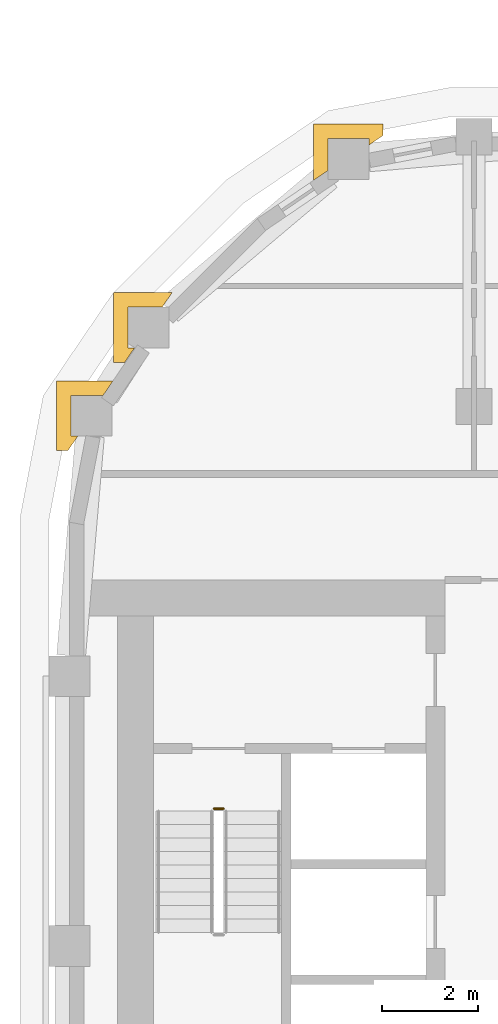
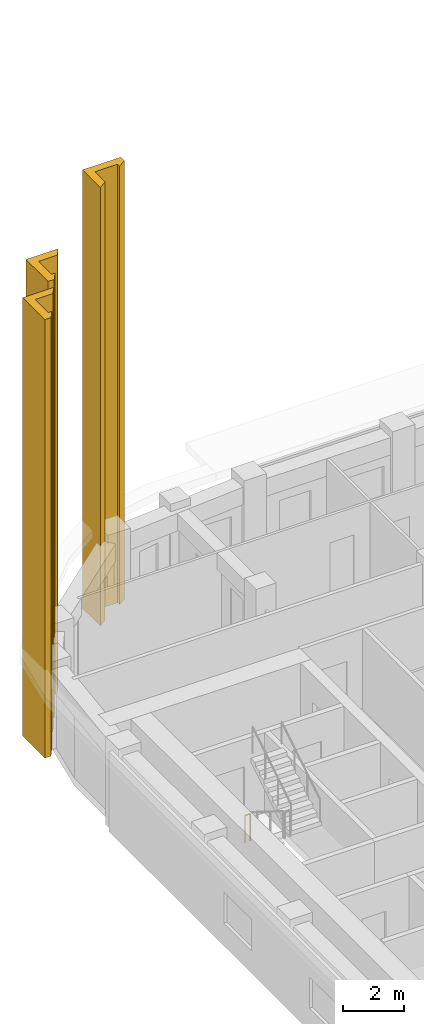
# One storey, part 19 of 21: 3 coverings, 1 railing.
"""IFC4 building model written with IfcOpenShell, lengths in metres."""

from ifc_helpers import new_model, si_unit, direction, frame, origin, origin_2d, place, context, subcontext, project, spatial, polyline, circle, outline, extrude, material, layer, layer_set, type_object, element, save


model = new_model("IFC4")

# Units and contexts
model_context = context("Model", 3, precision=1e-05, world=origin(), true_north=direction((0.0, 1.0)))
body_context = subcontext(model_context, "Body", "Model", "MODEL_VIEW")
ifc_project = project(units=[si_unit("LENGTHUNIT", "METRE"), si_unit("AREAUNIT", "SQUARE_METRE"), si_unit("VOLUMEUNIT", "CUBIC_METRE"), si_unit("PLANEANGLEUNIT", "RADIAN"), si_unit("MASSUNIT", "GRAM", prefix="KILO")], contexts=[model_context])

# Site, building, storey
site_placement = place(None, origin())
site = spatial("IfcSite", under=ifc_project, at=site_placement, CompositionType="ELEMENT")
building_placement = place(site_placement, origin())
building = spatial("IfcBuilding", under=site, at=building_placement, Name="Kiln Ring Residences", CompositionType="ELEMENT")
storey_placement = place(building_placement, frame((0.0, 0.0, 213.39990234375)))
storey = spatial("IfcBuildingStorey", under=building, at=storey_placement, Name="L55", CompositionType="ELEMENT", Elevation=213.39990234375)

# Railing
ifc_material_1 = material(Name="Stainless steel", Category="steel")
railing_type = type_object("IfcRailingType", Name="CORE-STAIR-GUARD", PredefinedType="GUARDRAIL", material=ifc_material_1)
railing_placement = place(storey_placement, frame((-22.199951171875, 8.449951171875, 0.0)))
element("IfcRailing", 1, at=railing_placement, inside=storey, type_object=railing_type, Name="L55 W-STN stair guard 4", PredefinedType="GUARDRAIL", context=body_context, shape_type="SweptSolid", body=[
    extrude(circle(Radius=0.02392578125, at=origin_2d()), frame((0.0, 0.0, 1.076171875), z_axis=(1.0, 0.0, 0.0), x_axis=(0.0, 1.0, 0.0)), (0.0, 0.0, 1.0), 0.199951171875),
    extrude(circle(Radius=0.02099609375, at=origin_2d()), origin(), (0.0, 0.0, 1.0), 1.052001953125),
    extrude(circle(Radius=0.02099609375, at=origin_2d()), frame((0.199951171875, 0.0, 0.0)), (0.0, 0.0, 1.0), 1.052001953125),
])

# Coverings
ifc_material_2 = material(Name="Brick masonry, dark clay brick", Category="masonry")
ifc_layer = layer(ifc_material_2, 0.300048828125)
ifc_layer_set = layer_set([ifc_layer], Name="PIER CLADDING 300")
covering_type = type_object("IfcCoveringType", Name="PIER CLADDING 300", PredefinedType="CLADDING", material=ifc_layer_set)
placement = place(storey_placement, origin())
element("IfcCovering", 2, at=placement, inside=storey, type_object=covering_type, Name="PIER CLADDING L55-L59", PredefinedType="CLADDING", context=body_context, shape_type="SweptSolid", body=[
    extrude(outline(polyline([(-18.68359375, 22.6630859375), (-20.1337890625, 22.6630859375), (-20.1337890625, 21.493408203125), (-19.833740234375, 21.697509765625), (-19.833740234375, 22.363037109375), (-18.983642578125, 22.363037109375), (-18.983642578125, 22.226806640625), (-18.68359375, 22.430908203125), (-18.68359375, 22.6630859375)])), origin(), (0.0, 0.0, 1.0), 17.5),
])
element("IfcCovering", 3, at=placement, inside=storey, type_object=covering_type, Name="PIER CLADDING L55-L59", PredefinedType="CLADDING", context=body_context, shape_type="SweptSolid", body=[
    extrude(outline(polyline([(-23.067138671875, 19.165283203125), (-24.284912109375, 19.165283203125), (-24.284912109375, 17.715087890625), (-24.052490234375, 17.715087890625), (-23.8486328125, 18.01513671875), (-23.98486328125, 18.01513671875), (-23.98486328125, 18.865234375), (-23.27099609375, 18.865234375), (-23.067138671875, 19.165283203125)])), origin(), (0.0, 0.0, 1.0), 17.5),
])
element("IfcCovering", 4, at=placement, inside=storey, type_object=covering_type, Name="PIER CLADDING L55-L59", PredefinedType="CLADDING", context=body_context, shape_type="SweptSolid", body=[
    extrude(outline(polyline([(-24.29345703125, 17.333740234375), (-25.463134765625, 17.333740234375), (-25.463134765625, 15.8837890625), (-25.230712890625, 15.8837890625), (-25.02685546875, 16.18359375), (-25.1630859375, 16.18359375), (-25.1630859375, 17.03369140625), (-24.497314453125, 17.03369140625), (-24.29345703125, 17.333740234375)])), origin(), (0.0, 0.0, 1.0), 17.5),
])

save(model, "model.ifc")
